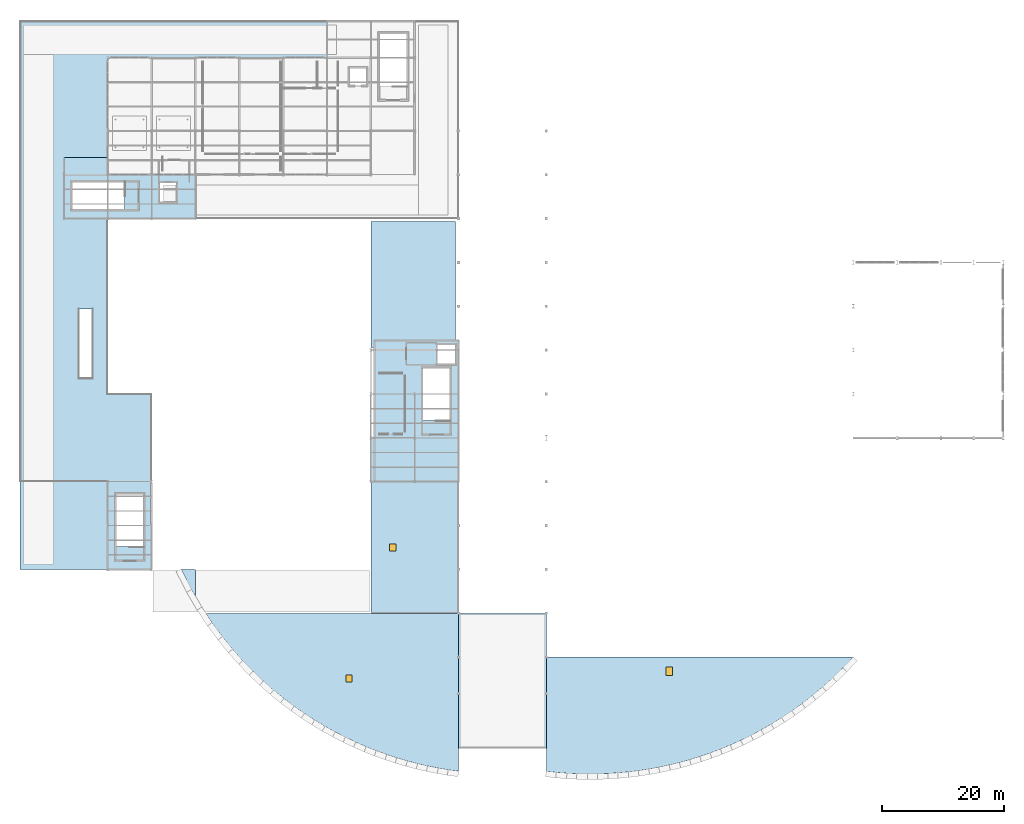
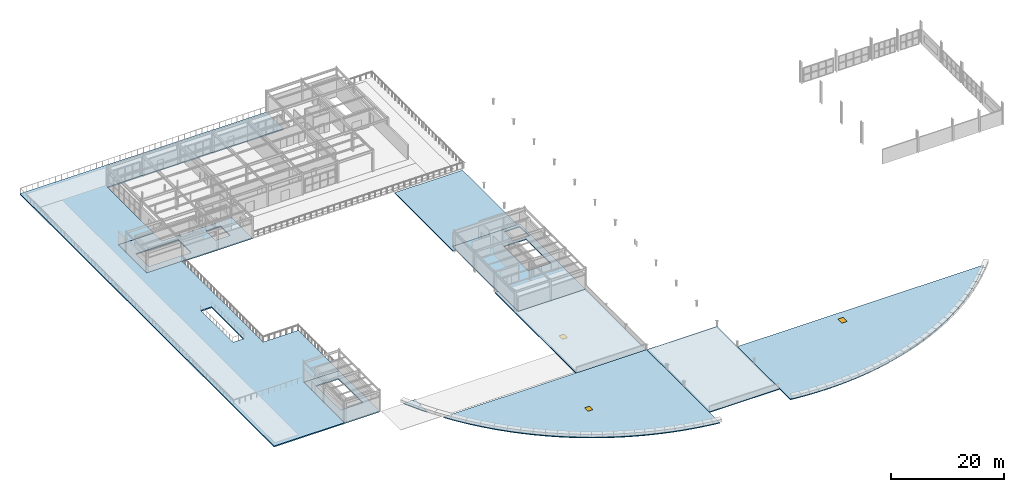
# One storey, part 28 of 41: 10 slabs, 3 doors, 3 openings.
"""IFC4 building model written with IfcOpenShell, lengths in metres."""

from ifc_helpers import new_model, si_unit, direction, frame, origin, origin_2d, place, context, subcontext, project, spatial, polyline, rectangle, outline, extrude, material, layer, layer_set, type_object, element, fill, save


model = new_model("IFC4")

# Units and contexts
model_context = context("Model", 3, precision=1e-05, world=origin(), true_north=direction((0.0, 1.0)))
body_context = subcontext(model_context, "Body", "Model", "MODEL_VIEW")
ifc_project = project(units=[si_unit("LENGTHUNIT", "METRE"), si_unit("AREAUNIT", "SQUARE_METRE"), si_unit("VOLUMEUNIT", "CUBIC_METRE"), si_unit("PLANEANGLEUNIT", "RADIAN"), si_unit("MASSUNIT", "GRAM", prefix="KILO")], contexts=[model_context])

# Site, building, storey
site_placement = place(None, origin())
site = spatial("IfcSite", under=ifc_project, at=site_placement, CompositionType="ELEMENT")
building_placement = place(site_placement, origin())
building = spatial("IfcBuilding", under=site, at=building_placement, Name="Solvadek Multi-Sports Hall", CompositionType="ELEMENT")
storey_placement = place(building_placement, frame((0.0, 0.0, 14.39990234375)))
storey = spatial("IfcBuildingStorey", under=building, at=storey_placement, Name="L03", CompositionType="ELEMENT", Elevation=14.39990234375)

# Slabs
ifc_material_1 = material(Name="Concrete M35", Category="concrete")
ifc_layer_1 = layer(ifc_material_1, 0.219970703125, Name="Concrete M35")
ifc_layer_set_1 = layer_set([ifc_layer_1], Name="Concrete M35")
slab_type_1 = type_object("IfcSlabType", Name="STR-SLB-FLR220", PredefinedType="FLOOR", material=ifc_layer_set_1)
slab_1_placement = place(storey_placement, frame((0.0, 0.0, -0.219970703125)))
element("IfcSlab", 1, at=slab_1_placement, inside=storey, type_object=slab_type_1, Name="L03 Third Floor West Core Slab #95", PredefinedType="FLOOR", context=body_context, shape_type="SweptSolid", body=[
    extrude(outline(polyline([(7.199951171875, 88.0), (14.39990234375, 88.0), (14.39990234375, 85.199951171875), (28.800048828125, 85.199951171875), (28.800048828125, 78.0), (7.199951171875, 78.0), (7.199951171875, 88.0)]), holes=[polyline([(25.800048828125, 80.60009765625), (25.800048828125, 84.0), (22.800048828125, 84.0), (22.800048828125, 80.60009765625), (25.800048828125, 80.60009765625)]), polyline([(8.5, 84.050048828125), (8.5, 79.5), (17.155029296875, 79.5), (17.155029296875, 84.050048828125), (8.5, 84.050048828125)])]), origin(), (0.0, 0.0, 1.0), 0.219970703125),
])
slab_2_placement = place(storey_placement, frame((0.0, 0.0, -0.219970703125)))
element("IfcSlab", 2, at=slab_2_placement, inside=storey, type_object=slab_type_1, Name="L03 Third Floor East Core Slab #96", PredefinedType="FLOOR", context=body_context, shape_type="SweptSolid", body=[
    extrude(outline(polyline([(58.199951171875, 58.0), (72.0, 58.0), (72.0, 34.800048828125), (58.199951171875, 34.800048828125), (58.199951171875, 58.0)]), holes=[polyline([(71.60009765625, 54.0), (71.60009765625, 57.39990234375), (68.39990234375, 57.39990234375), (68.39990234375, 54.0), (71.60009765625, 54.0)]), polyline([(70.64990234375, 53.5), (66.10009765625, 53.5), (66.10009765625, 44.844970703125), (70.64990234375, 44.844970703125), (70.64990234375, 53.5)])]), origin(), (0.0, 0.0, 1.0), 0.219970703125),
])
slab_3_placement = place(storey_placement, frame((0.0, 0.0, -0.219970703125)))
element("IfcSlab", 3, at=slab_3_placement, inside=storey, type_object=slab_type_1, Name="L03 Third Floor SW Core Slab #97", PredefinedType="FLOOR", context=body_context, shape_type="SweptSolid", body=[
    extrude(outline(polyline([(14.39990234375, 34.800048828125), (21.60009765625, 34.800048828125), (21.60009765625, 20.39990234375), (14.39990234375, 20.39990234375), (14.39990234375, 34.800048828125)]), holes=[polyline([(20.300048828125, 32.800048828125), (15.75, 32.800048828125), (15.75, 24.14501953125), (20.300048828125, 24.14501953125), (20.300048828125, 32.800048828125)])]), origin(), (0.0, 0.0, 1.0), 0.219970703125),
])
ifc_layer_2 = layer(ifc_material_1, 0.199951171875, Name="Concrete M35")
ifc_layer_set_2 = layer_set([ifc_layer_2], Name="Concrete M35")
slab_type_2 = type_object("IfcSlabType", Name="STR-SLB-ROOF200", PredefinedType="ROOF", material=ifc_layer_set_2)
slab_4_placement = place(storey_placement, frame((0.0, 0.0, -0.199951171875)))
element("IfcSlab", 4, at=slab_4_placement, inside=storey, type_object=slab_type_2, Name="L03 West Crescent Roof Slab #27", PredefinedType="ROOF", context=body_context, shape_type="SweptSolid", body=[
    extrude(outline(polyline([(26.45458984375, 20.39990234375), (28.800048828125, 20.39990234375), (28.800048828125, 15.94091796875), (28.1416015625, 17.066650390625), (26.45458984375, 20.39990234375), (26.45458984375, 20.39990234375)])), origin(), (0.0, 0.0, 1.0), 0.199951171875),
])

# Slab, opening, door
slab_5_placement = place(storey_placement, frame((0.0, 0.0, -0.199951171875)))
slab_5 = element("IfcSlab", 5, at=slab_5_placement, inside=storey, type_object=slab_type_2, Name="L03 West Crescent Roof Slab #28", PredefinedType="ROOF", context=body_context, shape_type="SweptSolid", body=[
    extrude(outline(polyline([(30.478515625, 13.199951171875), (72.0, 13.199951171875), (72.0, -12.7529296875), (70.31298828125, -12.517578125), (68.626220703125, -12.2314453125), (66.939453125, -11.893798828125), (65.25244140625, -11.50390625), (63.565673828125, -11.060791015625), (61.87890625, -10.562744140625), (60.19189453125, -10.008544921875), (58.505126953125, -9.396240234375), (56.818115234375, -8.72412109375), (55.13134765625, -7.989990234375), (53.444580078125, -7.19091796875), (51.757568359375, -6.323974609375), (50.07080078125, -5.3857421875), (48.3837890625, -4.3720703125), (46.697021484375, -3.2783203125), (45.010009765625, -2.0986328125), (43.3232421875, -0.826904296875), (41.636474609375, 0.54541015625), (39.949462890625, 2.027587890625), (38.2626953125, 3.631103515625), (36.57568359375, 5.37158203125), (34.888916015625, 7.26708984375), (33.2021484375, 9.3427734375), (31.51513671875, 11.63232421875), (30.478515625, 13.199951171875)])), origin(), (0.0, 0.0, 1.0), 0.199951171875),
])
opening_1_placement = place(slab_5_placement, frame((54.0, 2.5, 0.0)))
opening_1 = element("IfcOpeningElement", 6, at=opening_1_placement, cuts=slab_5, Name="Opening RH-02", PredefinedType="OPENING", context=body_context, shape_type="SweptSolid", body=[
    extrude(rectangle(XDim=1.0, YDim=1.199951171875, at=origin_2d()), frame((0.0, 0.0, -0.02001953125)), (0.0, 0.0, 1.0), 0.239990234375),
])
ifc_material_2 = material(Name="Anodised aluminium", Category="aluminium")
door_type_1 = type_object("IfcDoorType", Name="ENV-DOR-HT100X120", OperationType="SINGLE_SWING_LEFT", PredefinedType="TRAPDOOR", material=ifc_material_2)
door_1_placement = place(opening_1_placement, frame((0.0, 0.0, 0.14990234375)))
door_1 = element("IfcDoor", 7, at=door_1_placement, inside=storey, type_object=door_type_1, Name="Roof Maintenance Access Hatch #4", OperationType="SINGLE_SWING_LEFT", OverallHeight=1.199951171875, OverallWidth=1.0, PredefinedType="TRAPDOOR", context=body_context, shape_type="SweptSolid", body=[
    extrude(rectangle(XDim=1.0, YDim=1.199951171875, at=origin_2d()), origin(), (0.0, 0.0, 1.0), 0.050048828125),
])
fill(opening_1, door_1)

slab_6_placement = place(storey_placement, frame((0.0, 0.0, -0.199951171875)))
slab_6 = element("IfcSlab", 8, at=slab_6_placement, inside=storey, type_object=slab_type_2, Name="L03 East Crescent Roof Slab #29", PredefinedType="ROOF", context=body_context, shape_type="SweptSolid", body=[
    extrude(outline(polyline([(136.800048828125, 6.0), (135.1201171875, 4.216064453125), (133.43994140625, 2.573486328125), (131.760009765625, 1.05615234375), (130.080078125, -0.34814453125), (128.39990234375, -1.64990234375), (126.719970703125, -2.857177734375), (125.0400390625, -3.977294921875), (123.360107421875, -5.015869140625), (121.679931640625, -5.97802734375), (120.0, -6.867919921875), (118.320068359375, -7.689208984375), (116.639892578125, -8.4453125), (114.9599609375, -9.138671875), (113.280029296875, -9.771728515625), (111.60009765625, -10.346435546875), (109.919921875, -10.864990234375), (108.239990234375, -11.32861328125), (106.56005859375, -11.73876953125), (104.8798828125, -12.096435546875), (103.199951171875, -12.40283203125), (101.52001953125, -12.65869140625), (99.840087890625, -12.864501953125), (98.159912109375, -13.02099609375), (96.47998046875, -13.128662109375), (94.800048828125, -13.1875), (93.1201171875, -13.197998046875), (91.43994140625, -13.159912109375), (89.760009765625, -13.0732421875), (88.080078125, -12.9375), (86.39990234375, -12.7529296875), (86.39990234375, 6.0), (136.800048828125, 6.0)])), origin(), (0.0, 0.0, 1.0), 0.199951171875),
])
opening_2_placement = place(slab_6_placement, frame((106.60009765625, 3.699951171875, 0.0)))
opening_2 = element("IfcOpeningElement", 9, at=opening_2_placement, cuts=slab_6, Name="Opening RH-01", PredefinedType="OPENING", context=body_context, shape_type="SweptSolid", body=[
    extrude(rectangle(XDim=1.10009765625, YDim=1.39990234375, at=origin_2d()), frame((0.0, 0.0, -0.02001953125)), (0.0, 0.0, 1.0), 0.239990234375),
])
door_type_2 = type_object("IfcDoorType", Name="ENV-DOR-HT110X140", OperationType="SINGLE_SWING_LEFT", PredefinedType="TRAPDOOR", material=ifc_material_2)
door_2_placement = place(opening_2_placement, frame((0.0, 0.0, 0.14990234375)))
door_2 = element("IfcDoor", 10, at=door_2_placement, inside=storey, type_object=door_type_2, Name="Roof Maintenance Access Hatch #5", OperationType="SINGLE_SWING_LEFT", OverallHeight=1.39990234375, OverallWidth=1.10009765625, PredefinedType="TRAPDOOR", context=body_context, shape_type="SweptSolid", body=[
    extrude(rectangle(XDim=1.10009765625, YDim=1.39990234375, at=origin_2d()), origin(), (0.0, 0.0, 1.0), 0.050048828125),
])
fill(opening_2, door_2)

# Slab
slab_7_placement = place(storey_placement, frame((0.0, 0.0, -0.199951171875)))
element("IfcSlab", 11, at=slab_7_placement, inside=storey, type_object=slab_type_2, Name="L03 Entrance Portal Roof Slab #31", PredefinedType="ROOF", context=body_context, shape_type="SweptSolid", body=[
    extrude(outline(polyline([(72.0, 13.199951171875), (86.39990234375, 13.199951171875), (86.39990234375, 6.0), (86.39990234375, -9.0), (72.0, -9.0), (72.0, 13.199951171875)])), origin(), (0.0, 0.0, 1.0), 0.199951171875),
])

# Slab, opening, door
slab_8_placement = place(storey_placement, frame((0.0, 0.0, -0.199951171875)))
slab_8 = element("IfcSlab", 12, at=slab_8_placement, inside=storey, type_object=slab_type_2, Name="L03 Crescent Wing Flat Roof #100", PredefinedType="ROOF", context=body_context, shape_type="SweptSolid", body=[
    extrude(outline(polyline([(57.60009765625, 42.0), (58.199951171875, 42.0), (58.199951171875, 34.800048828125), (72.0, 34.800048828125), (72.0, 13.199951171875), (57.60009765625, 13.199951171875), (57.60009765625, 42.0)])), origin(), (0.0, 0.0, 1.0), 0.199951171875),
])
opening_3_placement = place(slab_8_placement, frame((61.199951171875, 24.0, 0.0)))
opening_3 = element("IfcOpeningElement", 13, at=opening_3_placement, cuts=slab_8, Name="Opening RH-02", PredefinedType="OPENING", context=body_context, shape_type="SweptSolid", body=[
    extrude(rectangle(XDim=1.0, YDim=1.199951171875, at=origin_2d()), frame((0.0, 0.0, -0.02001953125)), (0.0, 0.0, 1.0), 0.239990234375),
])
door_3_placement = place(opening_3_placement, frame((0.0, 0.0, 0.14990234375)))
door_3 = element("IfcDoor", 14, at=door_3_placement, inside=storey, type_object=door_type_1, Name="Roof Maintenance Access Hatch #6", OperationType="SINGLE_SWING_LEFT", OverallHeight=1.199951171875, OverallWidth=1.0, PredefinedType="TRAPDOOR", context=body_context, shape_type="SweptSolid", body=[
    extrude(rectangle(XDim=1.0, YDim=1.199951171875, at=origin_2d()), origin(), (0.0, 0.0, 1.0), 0.050048828125),
])
fill(opening_3, door_3)

# Slabs
slab_9_placement = place(storey_placement, frame((0.0, 0.0, -0.199951171875)))
element("IfcSlab", 15, at=slab_9_placement, inside=storey, type_object=slab_type_2, Name="L03 Crescent Wing Flat Roof #101", PredefinedType="ROOF", context=body_context, shape_type="SweptSolid", body=[
    extrude(outline(polyline([(57.60009765625, 77.5), (71.5, 77.5), (71.5, 58.0), (58.199951171875, 58.0), (58.199951171875, 56.800048828125), (57.60009765625, 56.800048828125), (57.60009765625, 77.5)])), origin(), (0.0, 0.0, 1.0), 0.199951171875),
])
ifc_material_3 = material(Name="Concrete M40", Category="concrete")
ifc_layer_3 = layer(ifc_material_3, 0.239990234375, Name="Concrete M40")
ifc_layer_set_3 = layer_set([ifc_layer_3], Name="Concrete M40")
slab_type_3 = type_object("IfcSlabType", Name="STR-SLB-TRK240", PredefinedType="FLOOR", material=ifc_layer_set_3)
slab_10_placement = place(storey_placement, frame((0.0, 0.0, -0.239990234375)))
element("IfcSlab", 16, at=slab_10_placement, inside=storey, type_object=slab_type_3, Name="L03 Rooftop Running Track Deck 1 #98", PredefinedType="FLOOR", context=body_context, shape_type="SweptSolid", body=[
    extrude(outline(polyline([(21.60009765625, 110.39990234375), (28.800048828125, 110.39990234375), (36.0, 110.39990234375), (43.199951171875, 110.39990234375), (50.39990234375, 110.39990234375), (50.39990234375, 104.39990234375), (43.199951171875, 104.39990234375), (36.0, 104.39990234375), (28.800048828125, 104.39990234375), (21.60009765625, 104.39990234375), (14.39990234375, 104.39990234375), (14.39990234375, 92.39990234375), (14.39990234375, 88.0), (7.199951171875, 88.0), (7.199951171875, 78.0), (14.39990234375, 78.0), (14.39990234375, 70.800048828125), (14.39990234375, 63.60009765625), (14.39990234375, 49.199951171875), (21.60009765625, 49.199951171875), (21.60009765625, 34.800048828125), (14.39990234375, 34.800048828125), (14.39990234375, 27.60009765625), (14.39990234375, 20.39990234375), (0.0, 20.39990234375), (0.0, 27.60009765625), (0.0, 34.800048828125), (0.0, 42.0), (0.0, 49.199951171875), (0.0, 63.60009765625), (0.0, 70.800048828125), (0.0, 78.0), (0.0, 92.39990234375), (0.0, 104.39990234375), (0.0, 110.39990234375), (7.199951171875, 110.39990234375), (14.39990234375, 110.39990234375), (21.60009765625, 110.39990234375)]), holes=[polyline([(9.699951171875, 51.800048828125), (11.89990234375, 51.800048828125), (11.89990234375, 63.1201171875), (9.699951171875, 63.1201171875), (9.699951171875, 51.800048828125)])]), origin(), (0.0, 0.0, 1.0), 0.239990234375),
])

save(model, "model.ifc")
